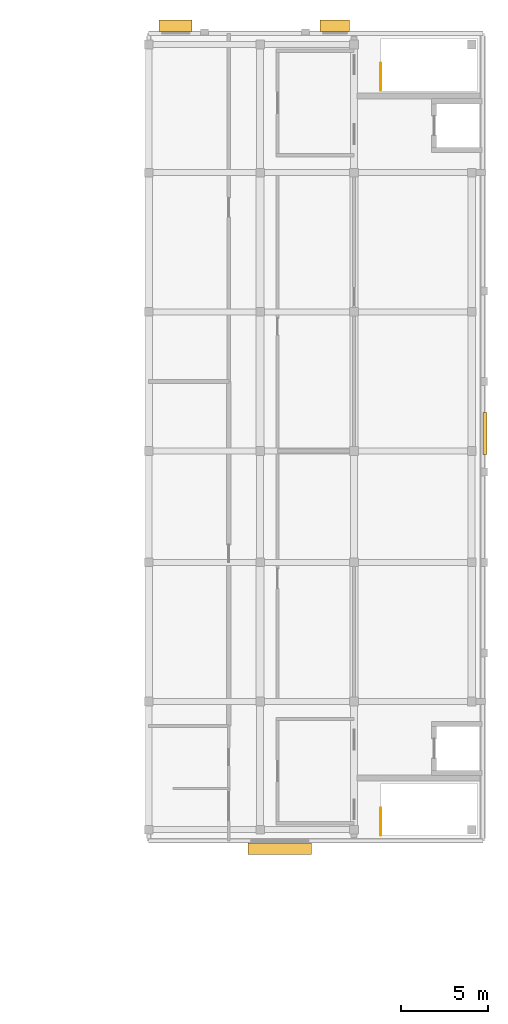
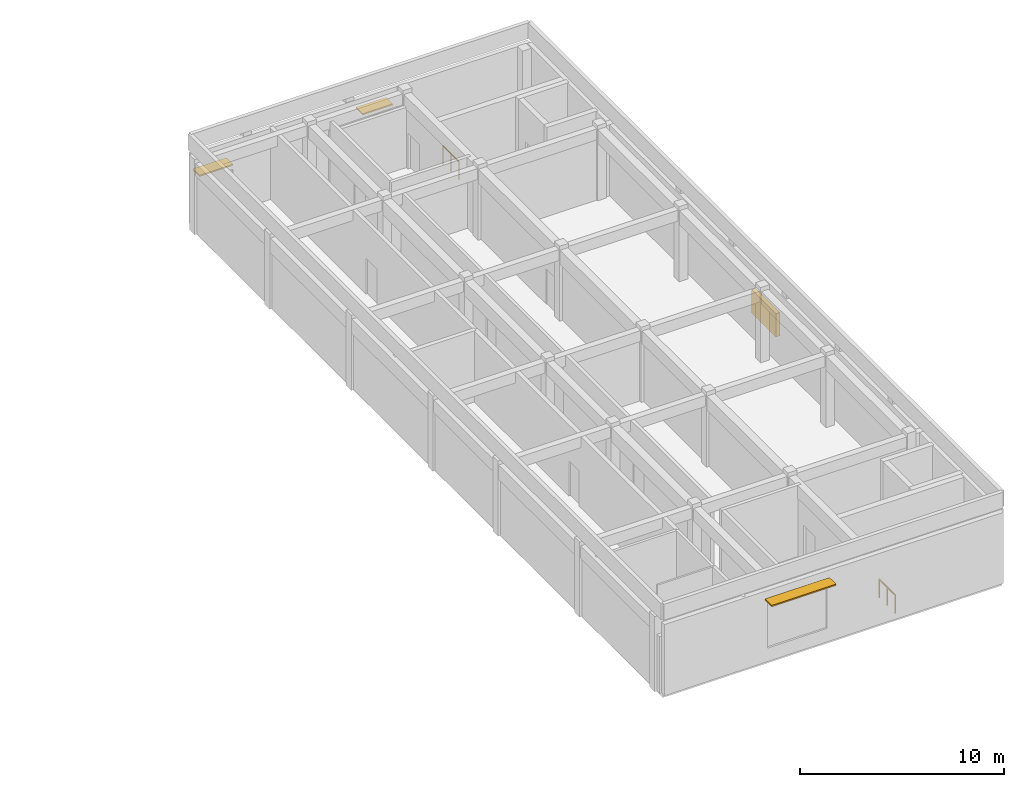
# One storey, part 5 of 5: 4 shading devices, 2 railings.
"""IFC4 building model written with IfcOpenShell, lengths in metres."""

from ifc_helpers import new_model, si_unit, direction, frame, origin, origin_2d, place, context, subcontext, project, spatial, rectangle, circle, extrude, material, type_object, element, save


model = new_model("IFC4")

# Units and contexts
model_context = context("Model", 3, precision=1e-05, world=origin(), true_north=direction((0.0, 1.0)))
body_context = subcontext(model_context, "Body", "Model", "MODEL_VIEW")
ifc_project = project(units=[si_unit("LENGTHUNIT", "METRE"), si_unit("AREAUNIT", "SQUARE_METRE"), si_unit("VOLUMEUNIT", "CUBIC_METRE"), si_unit("PLANEANGLEUNIT", "RADIAN"), si_unit("MASSUNIT", "GRAM", prefix="KILO")], contexts=[model_context])

# Site, building, storey
site_placement = place(None, origin())
site = spatial("IfcSite", under=ifc_project, at=site_placement, CompositionType="ELEMENT")
building_placement = place(site_placement, origin())
building = spatial("IfcBuilding", under=site, at=building_placement, Name="Cinchona Park Media Centre", CompositionType="ELEMENT")
storey_placement = place(building_placement, frame((0.0, 0.0, 29.39990234375)))
storey = spatial("IfcBuildingStorey", under=building, at=storey_placement, Name="L06", CompositionType="ELEMENT", Elevation=29.39990234375)

# Railings
ifc_material_1 = material(Name="Painted Steel Stairwell Guardrail", Category="steel")
railing_type = type_object("IfcRailingType", Name="RAILING-GR02", PredefinedType="GUARDRAIL", material=ifc_material_1)
for number, where, name in (
    (1, (166.135009765625, 71.919921875, 0.0), "Stairwell Guardrail GR02 ST1 L06"),
    (2, (166.135009765625, 114.719970703125, 0.0), "Stairwell Guardrail GR02 ST2 L06"),
):
    element("IfcRailing", number, at=place(storey_placement, frame(where)), inside=storey, type_object=railing_type, Name=name, PredefinedType="GUARDRAIL", context=body_context, shape_type="SweptSolid", body=[
        extrude(circle(Radius=0.02392578125, at=origin_2d()), frame((0.0, 0.0, 1.076171875), z_axis=(0.0, 1.0, 0.0), x_axis=(-1.0, 0.0, 0.0)), (0.0, 0.0, 1.0), 1.56005859375),
        extrude(circle(Radius=0.02099609375, at=origin_2d()), origin(), (0.0, 0.0, 1.0), 1.052001953125),
        extrude(circle(Radius=0.02099609375, at=origin_2d()), frame((0.0, 0.780029296875, 0.0)), (0.0, 0.0, 1.0), 1.052001953125),
        extrude(circle(Radius=0.02099609375, at=origin_2d()), frame((0.0, 1.56005859375, 0.0)), (0.0, 0.0, 1.0), 1.052001953125),
    ])

# Shading devices
ifc_material_2 = material(Name="Hurricane Acoustic Aluminium Storm Louvre", Category="aluminium")
shading_device_type_1 = type_object("IfcShadingDeviceType", Name="SHADING-LOUV01", PredefinedType="JALOUSIE", material=ifc_material_2)
shading_device_1_placement = place(storey_placement, frame((172.1201171875, 95.0, 1.2001953125), z_axis=(0.0, 0.0, 1.0), x_axis=(0.0, 1.0, 0.0)))
element("IfcShadingDevice", 3, at=shading_device_1_placement, inside=storey, type_object=shading_device_type_1, Name="Acoustic Plant Storm Louvre 5", PredefinedType="JALOUSIE", context=body_context, shape_type="SweptSolid", body=[
    extrude(rectangle(XDim=2.39990234375, YDim=0.219970703125, at=origin_2d()), origin(), (0.0, 0.0, 1.0), 1.39990234375),
])
ifc_material_3 = material(Name="Anodised Aluminium Horizontal Brise-Soleil", Category="aluminium")
shading_device_type_2 = type_object("IfcShadingDeviceType", Name="SHADING-SUN01", PredefinedType="AWNING", material=ifc_material_3)
shading_device_2_placement = place(storey_placement, frame((154.35009765625, 118.445068359375, 2.570068359375), z_axis=(0.0, 0.0, 1.0), x_axis=(1.0, 0.0, 0.0)))
element("IfcShadingDevice", 4, at=shading_device_2_placement, inside=storey, type_object=shading_device_type_2, Name="Horizontal Sunshade SHD02 L06", PredefinedType="AWNING", context=body_context, shape_type="SweptSolid", body=[
    extrude(rectangle(XDim=1.89990234375, YDim=0.64990234375, at=origin_2d()), origin(), (0.0, 0.0, 1.0), 0.080078125),
])
shading_device_3_placement = place(storey_placement, frame((163.5, 118.445068359375, 3.02001953125), z_axis=(0.0, 0.0, 1.0), x_axis=(1.0, 0.0, 0.0)))
element("IfcShadingDevice", 5, at=shading_device_3_placement, inside=storey, type_object=shading_device_type_2, Name="Horizontal Sunshade SHD02 L06", PredefinedType="AWNING", context=body_context, shape_type="SweptSolid", body=[
    extrude(rectangle(XDim=1.699951171875, YDim=0.64990234375, at=origin_2d()), origin(), (0.0, 0.0, 1.0), 0.080078125),
])
shading_device_4_placement = place(storey_placement, frame((160.324951171875, 71.14208984375, 3.719970703125), z_axis=(0.0, 0.0, 1.0), x_axis=(-1.0, 0.0, 0.0)))
element("IfcShadingDevice", 6, at=shading_device_4_placement, inside=storey, type_object=shading_device_type_2, Name="Horizontal Sunshade SHD02 L06", PredefinedType="AWNING", context=body_context, shape_type="SweptSolid", body=[
    extrude(rectangle(XDim=3.64990234375, YDim=0.64990234375, at=origin_2d()), origin(), (0.0, 0.0, 1.0), 0.080078125),
])

save(model, "model.ifc")
